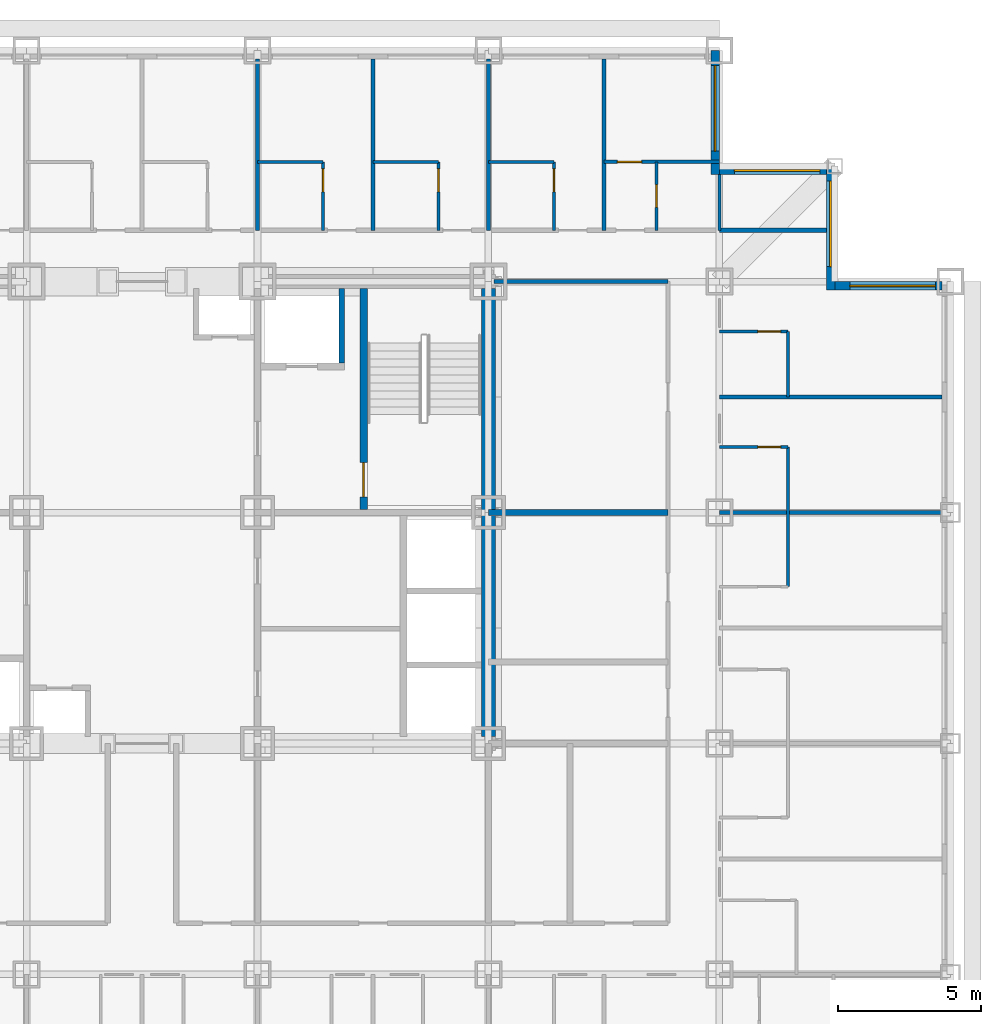
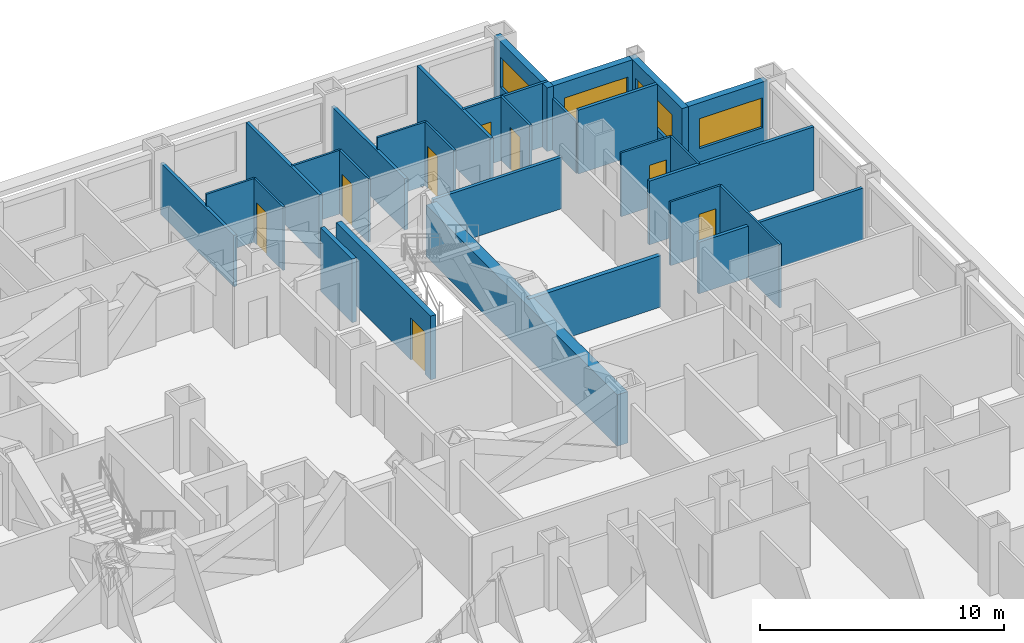
# One storey, part 10 of 12: 29 walls, 8 doors, 4 windows, 12 openings.
"""IFC4 building model written with IfcOpenShell, lengths in metres."""

from ifc_helpers import new_model, si_unit, direction, frame, frame_2d, origin, place, context, subcontext, project, spatial, rectangle, extrude, material, layer, layer_set, type_object, element, fill, save


model = new_model("IFC4")

# Units and contexts
model_context = context("Model", 3, precision=1e-05, world=origin(), true_north=direction((0.0, 1.0)))
body_context = subcontext(model_context, "Body", "Model", "MODEL_VIEW")
ifc_project = project(units=[si_unit("LENGTHUNIT", "METRE"), si_unit("AREAUNIT", "SQUARE_METRE"), si_unit("VOLUMEUNIT", "CUBIC_METRE"), si_unit("PLANEANGLEUNIT", "RADIAN"), si_unit("MASSUNIT", "GRAM", prefix="KILO")], contexts=[model_context])

# Site, building, storey
site_placement = place(None, origin())
site = spatial("IfcSite", under=ifc_project, at=site_placement, CompositionType="ELEMENT")
building_placement = place(site_placement, origin())
building = spatial("IfcBuilding", under=site, at=building_placement, Name="Kopane Lantern Tower", CompositionType="ELEMENT")
storey_placement = place(building_placement, frame((0.0, 0.0, 46.60009765625)))
storey = spatial("IfcBuildingStorey", under=building, at=storey_placement, Name="L10", CompositionType="ELEMENT", Elevation=46.60009765625)

# Wall, opening, door
ifc_material_1 = material(Name="Gypsum board on steel studs", Category="steel")
ifc_layer_1 = layer(ifc_material_1, 0.1201171875)
ifc_layer_set_1 = layer_set([ifc_layer_1], Name="APARTMENT INTERNAL WALL 120")
wall_type_1 = type_object("IfcWallType", Name="APARTMENT INTERNAL WALL 120", PredefinedType="PARTITIONING", material=ifc_layer_set_1)
wall_1_placement = place(storey_placement, frame((44.550048828125, 44.699951171875, 0.0), z_axis=(0.0, 0.0, 1.0), x_axis=(1.0, 0.0, 0.0)))
wall_1 = element("IfcWall", 1, at=wall_1_placement, inside=storey, type_object=wall_type_1, Name="Apartment Internal Wall 120 L10", PredefinedType="PARTITIONING", context=body_context, shape_type="SweptSolid", body=[
    extrude(rectangle(XDim=4.050048828125, YDim=0.1201171875, at=frame_2d((2.02490234375, 0.0))), origin(), (0.0, 0.0, 1.0), 3.18994140625),
])
opening_1_placement = place(wall_1_placement, frame((0.47509765625, 0.0, 0.0)))
opening_1 = element("IfcOpeningElement", 2, at=opening_1_placement, cuts=wall_1, Name="Opening L10-085", PredefinedType="OPENING", context=body_context, shape_type="SweptSolid", body=[
    extrude(rectangle(XDim=0.85009765625, YDim=2.10009765625, at=frame_2d((0.425048828125, 1.050048828125))), frame((0.0, 0.070068359375, 0.0), z_axis=(0.0, -1.0, 0.0), x_axis=(1.0, 0.0, 0.0)), (0.0, 0.0, 1.0), 0.14013671875),
])
ifc_material_2 = material(Name="Timber door set", Category="wood")
door_type_1 = type_object("IfcDoorType", Name="DOOR D4 850x2100", OperationType="SINGLE_SWING_LEFT", PredefinedType="DOOR", material=ifc_material_2)
door_1_placement = place(opening_1_placement, origin())
door_1 = element("IfcDoor", 3, at=door_1_placement, inside=storey, type_object=door_type_1, Name="Door L10-085", OperationType="SINGLE_SWING_LEFT", OverallHeight=2.10009765625, OverallWidth=0.85009765625, PredefinedType="DOOR", context=body_context, shape_type="SweptSolid", body=[
    extrude(rectangle(XDim=0.85009765625, YDim=2.10009765625, at=frame_2d((0.425048828125, 1.050048828125))), frame((0.0, 0.02490234375, 0.0), z_axis=(0.0, -1.0, 0.0), x_axis=(1.0, 0.0, 0.0)), (0.0, 0.0, 1.0), 0.050048828125),
])
fill(opening_1, door_1)

# Wall
ifc_material_3 = material(Name="Moisture-resistant board on steel studs", Category="steel")
ifc_layer_2 = layer(ifc_material_3, 0.10009765625)
ifc_layer_set_2 = layer_set([ifc_layer_2], Name="BATHROOM WALL 100")
wall_type_2 = type_object("IfcWallType", Name="BATHROOM WALL 100", PredefinedType="PARTITIONING", material=ifc_layer_set_2)
wall_2_placement = place(storey_placement, frame((32.39990234375, 44.699951171875, 0.0), z_axis=(0.0, 0.0, 1.0), x_axis=(1.0, 0.0, 0.0)))
element("IfcWall", 4, at=wall_2_placement, inside=storey, type_object=wall_type_2, Name="Bathroom Wall 100 L10", PredefinedType="PARTITIONING", context=body_context, shape_type="SweptSolid", body=[
    extrude(rectangle(XDim=2.300048828125, YDim=0.10009765625, at=frame_2d((1.14990234375, 0.0))), origin(), (0.0, 0.0, 1.0), 3.18994140625),
])

# Wall, opening, door
wall_3_placement = place(storey_placement, frame((34.699951171875, 42.300048828125, 0.0), z_axis=(0.0, 0.0, 1.0), x_axis=(0.0, 1.0, 0.0)))
wall_3 = element("IfcWall", 5, at=wall_3_placement, inside=storey, type_object=wall_type_2, Name="Bathroom Wall 100 L10", PredefinedType="PARTITIONING", context=body_context, shape_type="SweptSolid", body=[
    extrude(rectangle(XDim=2.39990234375, YDim=0.10009765625, at=frame_2d((1.199951171875, 0.0))), origin(), (0.0, 0.0, 1.0), 3.18994140625),
])
opening_2_placement = place(wall_3_placement, frame((1.35009765625, 0.0, 0.0)))
opening_2 = element("IfcOpeningElement", 6, at=opening_2_placement, cuts=wall_3, Name="Opening L10-043", PredefinedType="OPENING", context=body_context, shape_type="SweptSolid", body=[
    extrude(rectangle(XDim=0.800048828125, YDim=2.10009765625, at=frame_2d((0.39990234375, 1.050048828125))), frame((0.0, 0.06005859375, 0.0), z_axis=(0.0, -1.0, 0.0), x_axis=(1.0, 0.0, 0.0)), (0.0, 0.0, 1.0), 0.1201171875),
])
ifc_material_4 = material(Name="Timber door set", Category="wood")
door_type_2 = type_object("IfcDoorType", Name="DOOR D2 800x2100", OperationType="SINGLE_SWING_LEFT", PredefinedType="DOOR", material=ifc_material_4)
door_2_placement = place(opening_2_placement, origin())
door_2 = element("IfcDoor", 7, at=door_2_placement, inside=storey, type_object=door_type_2, Name="Door L10-043", OperationType="SINGLE_SWING_RIGHT", OverallHeight=2.10009765625, OverallWidth=0.800048828125, PredefinedType="DOOR", context=body_context, shape_type="SweptSolid", body=[
    extrude(rectangle(XDim=0.800048828125, YDim=2.10009765625, at=frame_2d((0.39990234375, 1.050048828125))), frame((0.0, 0.02490234375, 0.0), z_axis=(0.0, -1.0, 0.0), x_axis=(1.0, 0.0, 0.0)), (0.0, 0.0, 1.0), 0.050048828125),
])
fill(opening_2, door_2)

# Wall
wall_4_placement = place(storey_placement, frame((36.449951171875, 44.699951171875, 0.0), z_axis=(0.0, 0.0, 1.0), x_axis=(1.0, 0.0, 0.0)))
element("IfcWall", 8, at=wall_4_placement, inside=storey, type_object=wall_type_2, Name="Bathroom Wall 100 L10", PredefinedType="PARTITIONING", context=body_context, shape_type="SweptSolid", body=[
    extrude(rectangle(XDim=2.300048828125, YDim=0.10009765625, at=frame_2d((1.14990234375, 0.0))), origin(), (0.0, 0.0, 1.0), 3.18994140625),
])

# Wall, opening, door
wall_5_placement = place(storey_placement, frame((38.75, 42.300048828125, 0.0), z_axis=(0.0, 0.0, 1.0), x_axis=(0.0, 1.0, 0.0)))
wall_5 = element("IfcWall", 9, at=wall_5_placement, inside=storey, type_object=wall_type_2, Name="Bathroom Wall 100 L10", PredefinedType="PARTITIONING", context=body_context, shape_type="SweptSolid", body=[
    extrude(rectangle(XDim=2.39990234375, YDim=0.10009765625, at=frame_2d((1.199951171875, 0.0))), origin(), (0.0, 0.0, 1.0), 3.18994140625),
])
opening_3_placement = place(wall_5_placement, frame((1.35009765625, 0.0, 0.0)))
opening_3 = element("IfcOpeningElement", 10, at=opening_3_placement, cuts=wall_5, Name="Opening L10-045", PredefinedType="OPENING", context=body_context, shape_type="SweptSolid", body=[
    extrude(rectangle(XDim=0.800048828125, YDim=2.10009765625, at=frame_2d((0.39990234375, 1.050048828125))), frame((0.0, 0.06005859375, 0.0), z_axis=(0.0, -1.0, 0.0), x_axis=(1.0, 0.0, 0.0)), (0.0, 0.0, 1.0), 0.1201171875),
])
door_3_placement = place(opening_3_placement, origin())
door_3 = element("IfcDoor", 11, at=door_3_placement, inside=storey, type_object=door_type_2, Name="Door L10-045", OperationType="SINGLE_SWING_RIGHT", OverallHeight=2.10009765625, OverallWidth=0.800048828125, PredefinedType="DOOR", context=body_context, shape_type="SweptSolid", body=[
    extrude(rectangle(XDim=0.800048828125, YDim=2.10009765625, at=frame_2d((0.39990234375, 1.050048828125))), frame((0.0, 0.02490234375, 0.0), z_axis=(0.0, -1.0, 0.0), x_axis=(1.0, 0.0, 0.0)), (0.0, 0.0, 1.0), 0.050048828125),
])
fill(opening_3, door_3)

# Wall
wall_6_placement = place(storey_placement, frame((40.5, 44.699951171875, 0.0), z_axis=(0.0, 0.0, 1.0), x_axis=(1.0, 0.0, 0.0)))
element("IfcWall", 12, at=wall_6_placement, inside=storey, type_object=wall_type_2, Name="Bathroom Wall 100 L10", PredefinedType="PARTITIONING", context=body_context, shape_type="SweptSolid", body=[
    extrude(rectangle(XDim=2.300048828125, YDim=0.10009765625, at=frame_2d((1.14990234375, 0.0))), origin(), (0.0, 0.0, 1.0), 3.18994140625),
])

# Wall, opening, door
wall_7_placement = place(storey_placement, frame((42.800048828125, 42.300048828125, 0.0), z_axis=(0.0, 0.0, 1.0), x_axis=(0.0, 1.0, 0.0)))
wall_7 = element("IfcWall", 13, at=wall_7_placement, inside=storey, type_object=wall_type_2, Name="Bathroom Wall 100 L10", PredefinedType="PARTITIONING", context=body_context, shape_type="SweptSolid", body=[
    extrude(rectangle(XDim=2.39990234375, YDim=0.10009765625, at=frame_2d((1.199951171875, 0.0))), origin(), (0.0, 0.0, 1.0), 3.18994140625),
])
opening_4_placement = place(wall_7_placement, frame((1.35009765625, 0.0, 0.0)))
opening_4 = element("IfcOpeningElement", 14, at=opening_4_placement, cuts=wall_7, Name="Opening L10-047", PredefinedType="OPENING", context=body_context, shape_type="SweptSolid", body=[
    extrude(rectangle(XDim=0.800048828125, YDim=2.10009765625, at=frame_2d((0.39990234375, 1.050048828125))), frame((0.0, 0.06005859375, 0.0), z_axis=(0.0, -1.0, 0.0), x_axis=(1.0, 0.0, 0.0)), (0.0, 0.0, 1.0), 0.1201171875),
])
door_4_placement = place(opening_4_placement, origin())
door_4 = element("IfcDoor", 15, at=door_4_placement, inside=storey, type_object=door_type_2, Name="Door L10-047", OperationType="SINGLE_SWING_RIGHT", OverallHeight=2.10009765625, OverallWidth=0.800048828125, PredefinedType="DOOR", context=body_context, shape_type="SweptSolid", body=[
    extrude(rectangle(XDim=0.800048828125, YDim=2.10009765625, at=frame_2d((0.39990234375, 1.050048828125))), frame((0.0, 0.02490234375, 0.0), z_axis=(0.0, -1.0, 0.0), x_axis=(1.0, 0.0, 0.0)), (0.0, 0.0, 1.0), 0.050048828125),
])
fill(opening_4, door_4)

# Wall
wall_8_placement = place(storey_placement, frame((51.0, 29.800048828125, 0.0), z_axis=(0.0, 0.0, 1.0), x_axis=(0.0, 1.0, 0.0)))
element("IfcWall", 16, at=wall_8_placement, inside=storey, type_object=wall_type_2, Name="Bathroom Wall 100 L10", PredefinedType="PARTITIONING", context=body_context, shape_type="SweptSolid", body=[
    extrude(rectangle(XDim=4.89990234375, YDim=0.10009765625, at=frame_2d((2.449951171875, 0.0))), origin(), (0.0, 0.0, 1.0), 3.18994140625),
])

# Wall, opening, door
wall_9_placement = place(storey_placement, frame((48.60009765625, 34.699951171875, 0.0), z_axis=(0.0, 0.0, 1.0), x_axis=(1.0, 0.0, 0.0)))
wall_9 = element("IfcWall", 17, at=wall_9_placement, inside=storey, type_object=wall_type_2, Name="Bathroom Wall 100 L10", PredefinedType="PARTITIONING", context=body_context, shape_type="SweptSolid", body=[
    extrude(rectangle(XDim=2.39990234375, YDim=0.10009765625, at=frame_2d((1.199951171875, 0.0))), origin(), (0.0, 0.0, 1.0), 3.18994140625),
])
opening_5_placement = place(wall_9_placement, frame((1.35009765625, 0.0, 0.0)))
opening_5 = element("IfcOpeningElement", 18, at=opening_5_placement, cuts=wall_9, Name="Opening L10-069", PredefinedType="OPENING", context=body_context, shape_type="SweptSolid", body=[
    extrude(rectangle(XDim=0.800048828125, YDim=2.10009765625, at=frame_2d((0.39990234375, 1.050048828125))), frame((0.0, 0.06005859375, 0.0), z_axis=(0.0, -1.0, 0.0), x_axis=(1.0, 0.0, 0.0)), (0.0, 0.0, 1.0), 0.1201171875),
])
door_5_placement = place(opening_5_placement, origin())
door_5 = element("IfcDoor", 19, at=door_5_placement, inside=storey, type_object=door_type_2, Name="Door L10-069", OperationType="SINGLE_SWING_LEFT", OverallHeight=2.10009765625, OverallWidth=0.800048828125, PredefinedType="DOOR", context=body_context, shape_type="SweptSolid", body=[
    extrude(rectangle(XDim=0.800048828125, YDim=2.10009765625, at=frame_2d((0.39990234375, 1.050048828125))), frame((0.0, 0.02490234375, 0.0), z_axis=(0.0, -1.0, 0.0), x_axis=(1.0, 0.0, 0.0)), (0.0, 0.0, 1.0), 0.050048828125),
])
fill(opening_5, door_5)

# Wall
wall_10_placement = place(storey_placement, frame((51.0, 36.449951171875, 0.0), z_axis=(0.0, 0.0, 1.0), x_axis=(0.0, 1.0, 0.0)))
element("IfcWall", 20, at=wall_10_placement, inside=storey, type_object=wall_type_2, Name="Bathroom Wall 100 L10", PredefinedType="PARTITIONING", context=body_context, shape_type="SweptSolid", body=[
    extrude(rectangle(XDim=2.300048828125, YDim=0.10009765625, at=frame_2d((1.14990234375, 0.0))), origin(), (0.0, 0.0, 1.0), 3.18994140625),
])

# Wall, opening, door
wall_11_placement = place(storey_placement, frame((48.60009765625, 38.75, 0.0), z_axis=(0.0, 0.0, 1.0), x_axis=(1.0, 0.0, 0.0)))
wall_11 = element("IfcWall", 21, at=wall_11_placement, inside=storey, type_object=wall_type_2, Name="Bathroom Wall 100 L10", PredefinedType="PARTITIONING", context=body_context, shape_type="SweptSolid", body=[
    extrude(rectangle(XDim=2.39990234375, YDim=0.10009765625, at=frame_2d((1.199951171875, 0.0))), origin(), (0.0, 0.0, 1.0), 3.18994140625),
])
opening_6_placement = place(wall_11_placement, frame((1.35009765625, 0.0, 0.0)))
opening_6 = element("IfcOpeningElement", 22, at=opening_6_placement, cuts=wall_11, Name="Opening L10-071", PredefinedType="OPENING", context=body_context, shape_type="SweptSolid", body=[
    extrude(rectangle(XDim=0.800048828125, YDim=2.10009765625, at=frame_2d((0.39990234375, 1.050048828125))), frame((0.0, 0.06005859375, 0.0), z_axis=(0.0, -1.0, 0.0), x_axis=(1.0, 0.0, 0.0)), (0.0, 0.0, 1.0), 0.1201171875),
])
door_6_placement = place(opening_6_placement, origin())
door_6 = element("IfcDoor", 23, at=door_6_placement, inside=storey, type_object=door_type_2, Name="Door L10-071", OperationType="SINGLE_SWING_LEFT", OverallHeight=2.10009765625, OverallWidth=0.800048828125, PredefinedType="DOOR", context=body_context, shape_type="SweptSolid", body=[
    extrude(rectangle(XDim=0.800048828125, YDim=2.10009765625, at=frame_2d((0.39990234375, 1.050048828125))), frame((0.0, 0.02490234375, 0.0), z_axis=(0.0, -1.0, 0.0), x_axis=(1.0, 0.0, 0.0)), (0.0, 0.0, 1.0), 0.050048828125),
])
fill(opening_6, door_6)

wall_12_placement = place(storey_placement, frame((46.39990234375, 42.300048828125, 0.0), z_axis=(0.0, 0.0, 1.0), x_axis=(0.0, 1.0, 0.0)))
wall_12 = element("IfcWall", 24, at=wall_12_placement, inside=storey, type_object=wall_type_2, Name="Bathroom Wall 100 L10", PredefinedType="PARTITIONING", context=body_context, shape_type="SweptSolid", body=[
    extrude(rectangle(XDim=2.39990234375, YDim=0.10009765625, at=frame_2d((1.199951171875, 0.0))), origin(), (0.0, 0.0, 1.0), 3.18994140625),
])
opening_7_placement = place(wall_12_placement, frame((0.800048828125, 0.0, 0.0)))
opening_7 = element("IfcOpeningElement", 25, at=opening_7_placement, cuts=wall_12, Name="Opening L10-083", PredefinedType="OPENING", context=body_context, shape_type="SweptSolid", body=[
    extrude(rectangle(XDim=0.800048828125, YDim=2.10009765625, at=frame_2d((0.39990234375, 1.050048828125))), frame((0.0, 0.06005859375, 0.0), z_axis=(0.0, -1.0, 0.0), x_axis=(1.0, 0.0, 0.0)), (0.0, 0.0, 1.0), 0.1201171875),
])
door_7_placement = place(opening_7_placement, origin())
door_7 = element("IfcDoor", 26, at=door_7_placement, inside=storey, type_object=door_type_2, Name="Door L10-083", OperationType="SINGLE_SWING_RIGHT", OverallHeight=2.10009765625, OverallWidth=0.800048828125, PredefinedType="DOOR", context=body_context, shape_type="SweptSolid", body=[
    extrude(rectangle(XDim=0.800048828125, YDim=2.10009765625, at=frame_2d((0.39990234375, 1.050048828125))), frame((0.0, 0.02490234375, 0.0), z_axis=(0.0, -1.0, 0.0), x_axis=(1.0, 0.0, 0.0)), (0.0, 0.0, 1.0), 0.050048828125),
])
fill(opening_7, door_7)

# Walls
wall_13_placement = place(storey_placement, frame((48.60009765625, 42.300048828125, 0.0), z_axis=(0.0, 0.0, 1.0), x_axis=(0.0, 1.0, 0.0)))
element("IfcWall", 27, at=wall_13_placement, inside=storey, type_object=wall_type_2, Name="Bathroom Wall 100 L10", PredefinedType="PARTITIONING", context=body_context, shape_type="SweptSolid", body=[
    extrude(rectangle(XDim=1.949951171875, YDim=0.10009765625, at=frame_2d((0.97509765625, 0.0))), origin(), (0.0, 0.0, 1.0), 2.57763671875),
])
ifc_material_5 = material(Name="Gypsum shaft wall EI 120", Category="gypsum")
ifc_layer_3 = layer(ifc_material_5, 0.5)
ifc_layer_set_3 = layer_set([ifc_layer_3], Name="CORE PERIMETER WALL 500 EI 120")
wall_type_3 = type_object("IfcWallType", Name="CORE PERIMETER WALL 500 EI 120", PredefinedType="SOLIDWALL", material=ifc_layer_set_3)
wall_14_placement = place(storey_placement, frame((40.5, 24.550048828125, 0.0), z_axis=(0.0, 0.0, 1.0), x_axis=(0.0, 1.0, 0.0)))
element("IfcWall", 28, at=wall_14_placement, inside=storey, type_object=wall_type_3, Name="Core shaft wall L10 PE", PredefinedType="SOLIDWALL", context=body_context, shape_type="SweptSolid", body=[
    extrude(rectangle(XDim=15.699951171875, YDim=0.5, at=frame_2d((7.85009765625, 0.0))), origin(), (0.0, 0.0, 1.0), 2.57763671875),
])

# Wall, opening, door
ifc_material_6 = material(Name="Gypsum shaft wall EI 120", Category="gypsum")
ifc_layer_4 = layer(ifc_material_6, 0.25)
ifc_layer_set_4 = layer_set([ifc_layer_4], Name="CORE SHAFT WALL 250 EI 120")
wall_type_4 = type_object("IfcWallType", Name="CORE SHAFT WALL 250 EI 120", PredefinedType="SOLIDWALL", material=ifc_layer_set_4)
wall_15_placement = place(storey_placement, frame((36.125, 32.5, 0.0), z_axis=(0.0, 0.0, 1.0), x_axis=(0.0, 1.0, 0.0)))
wall_15 = element("IfcWall", 29, at=wall_15_placement, inside=storey, type_object=wall_type_4, Name="Core shaft wall L10 XST2", PredefinedType="SOLIDWALL", context=body_context, shape_type="SweptSolid", body=[
    extrude(rectangle(XDim=7.75, YDim=0.25, at=frame_2d((3.875, 0.0))), origin(), (0.0, 0.0, 1.0), 3.18994140625),
])
opening_8_placement = place(wall_15_placement, frame((0.449951171875, 0.0, 0.0)))
opening_8 = element("IfcOpeningElement", 30, at=opening_8_placement, cuts=wall_15, Name="Opening 10.SD2", PredefinedType="OPENING", context=body_context, shape_type="SweptSolid", body=[
    extrude(rectangle(XDim=1.199951171875, YDim=2.10009765625, at=frame_2d((0.60009765625, 1.050048828125))), frame((0.0, 0.135009765625, 0.0), z_axis=(0.0, -1.0, 0.0), x_axis=(1.0, 0.0, 0.0)), (0.0, 0.0, 1.0), 0.27001953125),
])
ifc_material_7 = material(Name="Steel door set", Category="steel")
door_type_3 = type_object("IfcDoorType", Name="STAIR DOOR 1200x2100 FD60S", OperationType="SINGLE_SWING_LEFT", PredefinedType="DOOR", material=ifc_material_7)
door_8_placement = place(opening_8_placement, origin())
door_8 = element("IfcDoor", 31, at=door_8_placement, inside=storey, type_object=door_type_3, Name="Stair door ST2 L10", OperationType="SINGLE_SWING_RIGHT", OverallHeight=2.10009765625, OverallWidth=1.199951171875, PredefinedType="DOOR", context=body_context, shape_type="SweptSolid", body=[
    extrude(rectangle(XDim=1.199951171875, YDim=2.10009765625, at=frame_2d((0.60009765625, 1.050048828125))), frame((0.0, 0.02490234375, 0.0), z_axis=(0.0, -1.0, 0.0), x_axis=(1.0, 0.0, 0.0)), (0.0, 0.0, 1.0), 0.050048828125),
])
fill(opening_8, door_8)

# Walls
ifc_material_8 = material(Name="Gypsum board on steel studs", Category="steel")
ifc_layer_5 = layer(ifc_material_8, 0.14990234375)
ifc_layer_set_5 = layer_set([ifc_layer_5], Name="CORRIDOR WALL 150 EI 60")
wall_type_5 = type_object("IfcWallType", Name="CORRIDOR WALL 150 EI 60", PredefinedType="PARTITIONING", material=ifc_layer_set_5)
wall_16_placement = place(storey_placement, frame((46.800048828125, 40.5, 0.0), z_axis=(0.0, 0.0, 1.0), x_axis=(-1.0, 0.0, 0.0)))
element("IfcWall", 32, at=wall_16_placement, inside=storey, type_object=wall_type_5, Name="Corridor Wall 150 Ei 60 L10", PredefinedType="PARTITIONING", context=body_context, shape_type="SweptSolid", body=[
    extrude(rectangle(XDim=6.10009765625, YDim=0.14990234375, at=frame_2d((3.050048828125, 0.0))), origin(), (0.0, 0.0, 1.0), 2.57763671875),
])
ifc_material_9 = material(Name="Gypsum board on steel studs", Category="steel")
ifc_layer_6 = layer(ifc_material_9, 0.14990234375)
ifc_layer_set_6 = layer_set([ifc_layer_6], Name="DEMISING WALL 150 EI 60")
wall_type_6 = type_object("IfcWallType", Name="DEMISING WALL 150 EI 60", PredefinedType="PARTITIONING", material=ifc_layer_set_6)
wall_17_placement = place(storey_placement, frame((32.39990234375, 42.300048828125, 0.0), z_axis=(0.0, 0.0, 1.0), x_axis=(0.0, 1.0, 0.0)))
element("IfcWall", 33, at=wall_17_placement, inside=storey, type_object=wall_type_6, Name="Demising Wall 150 Ei 60 L10", PredefinedType="PARTITIONING", context=body_context, shape_type="SweptSolid", body=[
    extrude(rectangle(XDim=6.0, YDim=0.14990234375, at=frame_2d((3.0, 0.0))), origin(), (0.0, 0.0, 1.0), 2.57763671875),
])
wall_18_placement = place(storey_placement, frame((36.449951171875, 42.300048828125, 0.0), z_axis=(0.0, 0.0, 1.0), x_axis=(0.0, 1.0, 0.0)))
element("IfcWall", 34, at=wall_18_placement, inside=storey, type_object=wall_type_6, Name="Demising Wall 150 Ei 60 L10", PredefinedType="PARTITIONING", context=body_context, shape_type="SweptSolid", body=[
    extrude(rectangle(XDim=6.0, YDim=0.14990234375, at=frame_2d((3.0, 0.0))), origin(), (0.0, 0.0, 1.0), 3.18994140625),
])
wall_19_placement = place(storey_placement, frame((40.5, 42.300048828125, 0.0), z_axis=(0.0, 0.0, 1.0), x_axis=(0.0, 1.0, 0.0)))
element("IfcWall", 35, at=wall_19_placement, inside=storey, type_object=wall_type_6, Name="Demising Wall 150 Ei 60 L10", PredefinedType="PARTITIONING", context=body_context, shape_type="SweptSolid", body=[
    extrude(rectangle(XDim=6.0, YDim=0.14990234375, at=frame_2d((3.0, 0.0))), origin(), (0.0, 0.0, 1.0), 2.57763671875),
])
wall_20_placement = place(storey_placement, frame((48.60009765625, 32.39990234375, 0.0), z_axis=(0.0, 0.0, 1.0), x_axis=(1.0, 0.0, 0.0)))
element("IfcWall", 36, at=wall_20_placement, inside=storey, type_object=wall_type_6, Name="Demising Wall 150 Ei 60 L10", PredefinedType="PARTITIONING", context=body_context, shape_type="SweptSolid", body=[
    extrude(rectangle(XDim=7.7998046875, YDim=0.14990234375, at=frame_2d((3.89990234375, 0.0))), origin(), (0.0, 0.0, 1.0), 2.57763671875),
])
wall_21_placement = place(storey_placement, frame((48.60009765625, 36.449951171875, 0.0), z_axis=(0.0, 0.0, 1.0), x_axis=(1.0, 0.0, 0.0)))
element("IfcWall", 37, at=wall_21_placement, inside=storey, type_object=wall_type_6, Name="Demising Wall 150 Ei 60 L10", PredefinedType="PARTITIONING", context=body_context, shape_type="SweptSolid", body=[
    extrude(rectangle(XDim=7.7998046875, YDim=0.14990234375, at=frame_2d((3.89990234375, 0.0))), origin(), (0.0, 0.0, 1.0), 3.18994140625),
])
wall_22_placement = place(storey_placement, frame((48.60009765625, 42.300048828125, 0.0), z_axis=(0.0, 0.0, 1.0), x_axis=(1.0, 0.0, 0.0)))
element("IfcWall", 38, at=wall_22_placement, inside=storey, type_object=wall_type_6, Name="Demising Wall 150 Ei 60 L10", PredefinedType="PARTITIONING", context=body_context, shape_type="SweptSolid", body=[
    extrude(rectangle(XDim=3.75, YDim=0.14990234375, at=frame_2d((1.875, 0.0))), origin(), (0.0, 0.0, 1.0), 3.18994140625),
])
wall_23_placement = place(storey_placement, frame((44.550048828125, 42.300048828125, 0.0), z_axis=(0.0, 0.0, 1.0), x_axis=(0.0, 1.0, 0.0)))
element("IfcWall", 39, at=wall_23_placement, inside=storey, type_object=wall_type_6, Name="Demising Wall 150 Ei 60 L10", PredefinedType="PARTITIONING", context=body_context, shape_type="SweptSolid", body=[
    extrude(rectangle(XDim=6.0, YDim=0.14990234375, at=frame_2d((3.0, 0.0))), origin(), (0.0, 0.0, 1.0), 3.18994140625),
])

# Wall, opening, window
ifc_material_10 = material(Name="Terracotta rainscreen on light steel framing", Category="masonry")
ifc_layer_7 = layer(ifc_material_10, 0.300048828125)
ifc_layer_set_7 = layer_set([ifc_layer_7], Name="EXTERNAL WALL EW1 300 TERRACOTTA")
wall_type_7 = type_object("IfcWallType", Name="EXTERNAL WALL EW1 300 TERRACOTTA", PredefinedType="SOLIDWALL", material=ifc_layer_set_7)
wall_24_placement = place(storey_placement, frame((56.39990234375, 40.35009765625, 0.0), z_axis=(0.0, 0.0, 1.0), x_axis=(-1.0, 0.0, 0.0)))
wall_24 = element("IfcWall", 40, at=wall_24_placement, inside=storey, type_object=wall_type_7, Name="External wall N L10", PredefinedType="SOLIDWALL", context=body_context, shape_type="SweptSolid", body=[
    extrude(rectangle(XDim=3.75, YDim=0.300048828125, at=frame_2d((1.875, 0.0))), origin(), (0.0, 0.0, 1.0), 3.18994140625),
])
opening_9_placement = place(wall_24_placement, frame((0.22509765625, 0.0, 0.89990234375)))
opening_9 = element("IfcOpeningElement", 41, at=opening_9_placement, cuts=wall_24, Name="Opening WR300150", PredefinedType="OPENING", context=body_context, shape_type="SweptSolid", body=[
    extrude(rectangle(XDim=3.0, YDim=1.5, at=frame_2d((1.5, 0.75))), frame((0.0, 0.159912109375, 0.0), z_axis=(0.0, -1.0, 0.0), x_axis=(1.0, 0.0, 0.0)), (0.0, 0.0, 1.0), 0.320068359375),
])
ifc_material_11 = material(Name="Aluminium and clear glass", Category="aluminium")
window_type = type_object("IfcWindowType", Name="RIBBON WINDOW WR300150 3000x1500", PartitioningType="SINGLE_PANEL", PredefinedType="WINDOW", material=ifc_material_11)
window_1_placement = place(opening_9_placement, origin())
window_1 = element("IfcWindow", 42, at=window_1_placement, inside=storey, type_object=window_type, Name="Window N L10", OverallHeight=1.5, OverallWidth=3.0, PartitioningType="SINGLE_PANEL", PredefinedType="WINDOW", context=body_context, shape_type="SweptSolid", body=[
    extrude(rectangle(XDim=3.0, YDim=1.5, at=frame_2d((1.5, 0.75))), frame((0.0, 0.030029296875, 0.0), z_axis=(0.0, -1.0, 0.0), x_axis=(1.0, 0.0, 0.0)), (0.0, 0.0, 1.0), 0.06005859375),
])
fill(opening_9, window_1)

wall_25_placement = place(storey_placement, frame((52.5, 40.199951171875, 0.0), z_axis=(0.0, 0.0, 1.0), x_axis=(0.0, 1.0, 0.0)))
wall_25 = element("IfcWall", 43, at=wall_25_placement, inside=storey, type_object=wall_type_7, Name="External wall E L10", PredefinedType="SOLIDWALL", context=body_context, shape_type="SweptSolid", body=[
    extrude(rectangle(XDim=4.35009765625, YDim=0.300048828125, at=frame_2d((2.175048828125, 0.0))), origin(), (0.0, 0.0, 1.0), 3.18994140625),
])
opening_10_placement = place(wall_25_placement, frame((0.824951171875, 0.0, 0.89990234375)))
opening_10 = element("IfcOpeningElement", 44, at=opening_10_placement, cuts=wall_25, Name="Opening WR300150", PredefinedType="OPENING", context=body_context, shape_type="SweptSolid", body=[
    extrude(rectangle(XDim=3.0, YDim=1.5, at=frame_2d((1.5, 0.75))), frame((0.0, 0.159912109375, 0.0), z_axis=(0.0, -1.0, 0.0), x_axis=(1.0, 0.0, 0.0)), (0.0, 0.0, 1.0), 0.320068359375),
])
window_2_placement = place(opening_10_placement, origin())
window_2 = element("IfcWindow", 45, at=window_2_placement, inside=storey, type_object=window_type, Name="Window E L10", OverallHeight=1.5, OverallWidth=3.0, PartitioningType="SINGLE_PANEL", PredefinedType="WINDOW", context=body_context, shape_type="SweptSolid", body=[
    extrude(rectangle(XDim=3.0, YDim=1.5, at=frame_2d((1.5, 0.75))), frame((0.0, 0.030029296875, 0.0), z_axis=(0.0, -1.0, 0.0), x_axis=(1.0, 0.0, 0.0)), (0.0, 0.0, 1.0), 0.06005859375),
])
fill(opening_10, window_2)

wall_26_placement = place(storey_placement, frame((52.35009765625, 44.39990234375, 0.0), z_axis=(0.0, 0.0, 1.0), x_axis=(-1.0, 0.0, 0.0)))
wall_26 = element("IfcWall", 46, at=wall_26_placement, inside=storey, type_object=wall_type_7, Name="External wall N L10", PredefinedType="SOLIDWALL", context=body_context, shape_type="SweptSolid", body=[
    extrude(rectangle(XDim=3.75, YDim=0.300048828125, at=frame_2d((1.875, 0.0))), origin(), (0.0, 0.0, 1.0), 3.18994140625),
])
opening_11_placement = place(wall_26_placement, frame((0.22509765625, 0.0, 0.89990234375)))
opening_11 = element("IfcOpeningElement", 47, at=opening_11_placement, cuts=wall_26, Name="Opening WR300150", PredefinedType="OPENING", context=body_context, shape_type="SweptSolid", body=[
    extrude(rectangle(XDim=3.0, YDim=1.5, at=frame_2d((1.5, 0.75))), frame((0.0, 0.159912109375, 0.0), z_axis=(0.0, -1.0, 0.0), x_axis=(1.0, 0.0, 0.0)), (0.0, 0.0, 1.0), 0.320068359375),
])
window_3_placement = place(opening_11_placement, origin())
window_3 = element("IfcWindow", 48, at=window_3_placement, inside=storey, type_object=window_type, Name="Window N L10", OverallHeight=1.5, OverallWidth=3.0, PartitioningType="SINGLE_PANEL", PredefinedType="WINDOW", context=body_context, shape_type="SweptSolid", body=[
    extrude(rectangle(XDim=3.0, YDim=1.5, at=frame_2d((1.5, 0.75))), frame((0.0, 0.030029296875, 0.0), z_axis=(0.0, -1.0, 0.0), x_axis=(1.0, 0.0, 0.0)), (0.0, 0.0, 1.0), 0.06005859375),
])
fill(opening_11, window_3)

wall_27_placement = place(storey_placement, frame((48.449951171875, 44.25, 0.0), z_axis=(0.0, 0.0, 1.0), x_axis=(0.0, 1.0, 0.0)))
wall_27 = element("IfcWall", 49, at=wall_27_placement, inside=storey, type_object=wall_type_7, Name="External wall E L10", PredefinedType="SOLIDWALL", context=body_context, shape_type="SweptSolid", body=[
    extrude(rectangle(XDim=4.35009765625, YDim=0.300048828125, at=frame_2d((2.175048828125, 0.0))), origin(), (0.0, 0.0, 1.0), 3.18994140625),
])
opening_12_placement = place(wall_27_placement, frame((0.824951171875, 0.0, 0.89990234375)))
opening_12 = element("IfcOpeningElement", 50, at=opening_12_placement, cuts=wall_27, Name="Opening WR300150", PredefinedType="OPENING", context=body_context, shape_type="SweptSolid", body=[
    extrude(rectangle(XDim=3.0, YDim=1.5, at=frame_2d((1.5, 0.75))), frame((0.0, 0.159912109375, 0.0), z_axis=(0.0, -1.0, 0.0), x_axis=(1.0, 0.0, 0.0)), (0.0, 0.0, 1.0), 0.320068359375),
])
window_4_placement = place(opening_12_placement, origin())
window_4 = element("IfcWindow", 51, at=window_4_placement, inside=storey, type_object=window_type, Name="Window E L10", OverallHeight=1.5, OverallWidth=3.0, PartitioningType="SINGLE_PANEL", PredefinedType="WINDOW", context=body_context, shape_type="SweptSolid", body=[
    extrude(rectangle(XDim=3.0, YDim=1.5, at=frame_2d((1.5, 0.75))), frame((0.0, 0.030029296875, 0.0), z_axis=(0.0, -1.0, 0.0), x_axis=(1.0, 0.0, 0.0)), (0.0, 0.0, 1.0), 0.06005859375),
])
fill(opening_12, window_4)

# Walls
ifc_material_12 = material(Name="Concrete masonry", Category="masonry")
ifc_layer_8 = layer(ifc_material_12, 0.199951171875)
ifc_layer_set_8 = layer_set([ifc_layer_8], Name="PLANT ROOM WALL 200 EI 120")
wall_type_8 = type_object("IfcWallType", Name="PLANT ROOM WALL 200 EI 120", PredefinedType="SOLIDWALL", material=ifc_layer_set_8)
wall_28_placement = place(storey_placement, frame((40.5, 32.39990234375, 0.0), z_axis=(0.0, 0.0, 1.0), x_axis=(1.0, 0.0, 0.0)))
element("IfcWall", 52, at=wall_28_placement, inside=storey, type_object=wall_type_8, Name="Plant Room Wall 200 Ei 120 L10", PredefinedType="SOLIDWALL", context=body_context, shape_type="SweptSolid", body=[
    extrude(rectangle(XDim=6.300048828125, YDim=0.199951171875, at=frame_2d((3.14990234375, 0.0))), origin(), (0.0, 0.0, 1.0), 2.57763671875),
])
ifc_material_13 = material(Name="Gypsum shaft wall EI 120", Category="gypsum")
ifc_layer_9 = layer(ifc_material_13, 0.199951171875)
ifc_layer_set_9 = layer_set([ifc_layer_9], Name="SHAFT WALL 200 EI 120")
wall_type_9 = type_object("IfcWallType", Name="SHAFT WALL 200 EI 120", PredefinedType="SOLIDWALL", material=ifc_layer_set_9)
wall_29_placement = place(storey_placement, frame((35.35009765625, 37.64990234375, 0.0), z_axis=(0.0, 0.0, 1.0), x_axis=(0.0, 1.0, 0.0)))
element("IfcWall", 53, at=wall_29_placement, inside=storey, type_object=wall_type_9, Name="Core shaft wall L10 XLF2", PredefinedType="SOLIDWALL", context=body_context, shape_type="SweptSolid", body=[
    extrude(rectangle(XDim=2.60009765625, YDim=0.199951171875, at=frame_2d((1.300048828125, 0.0))), origin(), (0.0, 0.0, 1.0), 3.18994140625),
])

save(model, "model.ifc")
